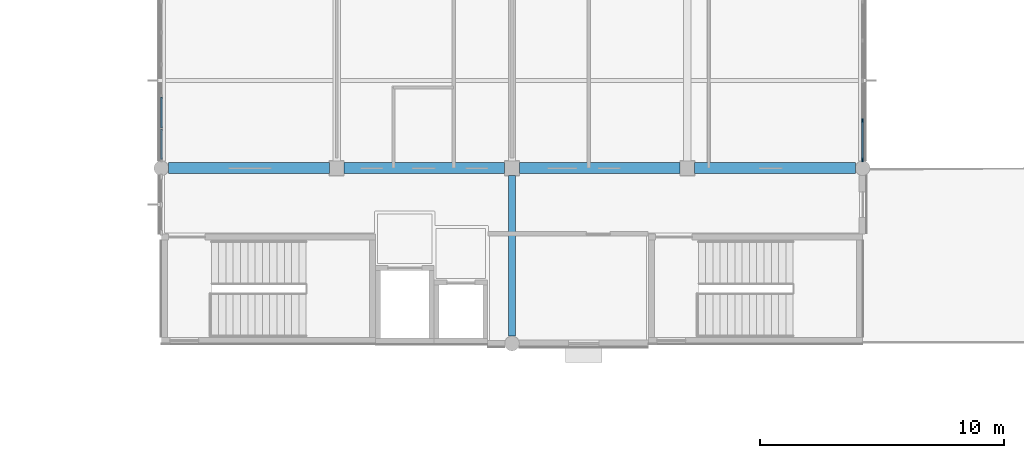
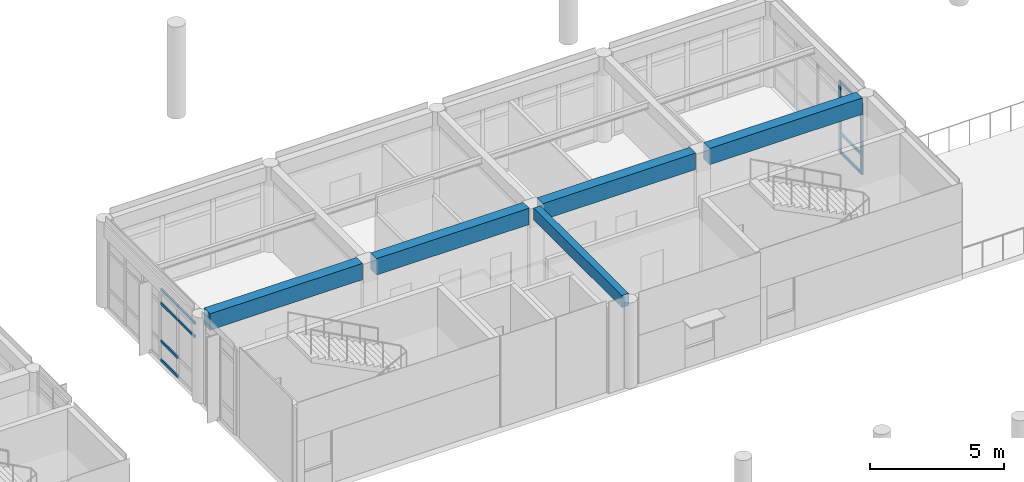
# One storey, part 9 of 41: 12 members, 5 beams, 2 elements without a shape of their own.
"""IFC4 building model written with IfcOpenShell, lengths in metres."""

from ifc_helpers import new_model, si_unit, direction, frame, origin, origin_2d, place, context, subcontext, project, spatial, rectangle, extrude, material, layer, layer_set, material_profile, profile_set, type_object, element, aggregate, save


model = new_model("IFC4")

# Units and contexts
model_context = context("Model", 3, precision=1e-05, world=origin(), true_north=direction((0.0, 1.0)))
body_context = subcontext(model_context, "Body", "Model", "MODEL_VIEW")
ifc_project = project(units=[si_unit("LENGTHUNIT", "METRE"), si_unit("AREAUNIT", "SQUARE_METRE"), si_unit("VOLUMEUNIT", "CUBIC_METRE"), si_unit("PLANEANGLEUNIT", "RADIAN"), si_unit("MASSUNIT", "GRAM", prefix="KILO")], contexts=[model_context])

# Site, building, storey
site_placement = place(None, origin())
site = spatial("IfcSite", under=ifc_project, at=site_placement, CompositionType="ELEMENT")
building_placement = place(site_placement, origin())
building = spatial("IfcBuilding", under=site, at=building_placement, Name="Namkhue Oval Health Centre", CompositionType="ELEMENT")
storey_placement = place(building_placement, frame((0.0, 0.0, 13.800048828125)))
storey = spatial("IfcBuildingStorey", under=building, at=storey_placement, Name="L03", CompositionType="ELEMENT", Elevation=13.800048828125)

# Curtain wall, members
ifc_material_1 = material(Name="Anodised aluminium EN AW-6063 T6", Category="aluminium")
ifc_layer_1 = layer(ifc_material_1, 0.159912109375)
ifc_layer_set_1 = layer_set([ifc_layer_1], Name="Anodised aluminium EN AW-6063 T6")
curtain_wall_type_1 = type_object("IfcCurtainWallType", Name="UNITISED CURTAIN WALL M1500", PredefinedType="NOTDEFINED", material=ifc_layer_set_1)
curtain_wall_1_placement = place(storey_placement, origin())
curtain_wall_1 = element("IfcCurtainWall", 1, at=curtain_wall_1_placement, inside=storey, type_object=curtain_wall_type_1, Name="Volume V3 L03 Unitised Curtain Wall 117", PredefinedType="NOTDEFINED")
ifc_material_profile_1 = material_profile(ifc_material_1, rectangle(XDim=0.06494140625, YDim=0.159912109375, at=origin_2d()), Name="ALU 65x160")
ifc_profile_set_1 = profile_set([ifc_material_profile_1], Name="Anodised aluminium EN AW-6063 T6")
member_type_1 = type_object("IfcMemberType", Name="CURTAIN WALL MULLION 65X160", PredefinedType="MULLION", material=ifc_profile_set_1)
member_1_placement = place(storey_placement, frame((122.39990234375, 97.54248046875, 0.0), z_axis=(0.0, 0.0, 1.0), x_axis=(-1.0, 0.0, 0.0)))
member_1 = element("IfcMember", 2, at=member_1_placement, type_object=member_type_1, Name="CW-03 mullion 1", PredefinedType="MULLION", context=body_context, shape_type="SweptSolid", body=[
    extrude(rectangle(XDim=0.06494140625, YDim=0.159912109375, at=origin_2d()), origin(), (0.0, 0.0, 1.0), 3.27001953125),
])
member_2_placement = place(storey_placement, frame((122.39990234375, 99.155029296875, 0.0), z_axis=(0.0, 0.0, 1.0), x_axis=(-1.0, 0.0, 0.0)))
member_2 = element("IfcMember", 3, at=member_2_placement, type_object=member_type_1, Name="CW-03 mullion 2", PredefinedType="MULLION", context=body_context, shape_type="SweptSolid", body=[
    extrude(rectangle(XDim=0.06494140625, YDim=0.159912109375, at=origin_2d()), origin(), (0.0, 0.0, 1.0), 3.27001953125),
])
ifc_material_profile_2 = material_profile(ifc_material_1, rectangle(XDim=0.06494140625, YDim=0.1201171875, at=origin_2d()), Name="ALU 65x120")
ifc_profile_set_2 = profile_set([ifc_material_profile_2], Name="Anodised aluminium EN AW-6063 T6")
member_type_2 = type_object("IfcMemberType", Name="CURTAIN WALL TRANSOM 65X120", PredefinedType="USERDEFINED", material=ifc_profile_set_2)
member_3_placement = place(storey_placement, frame((122.39990234375, 97.574951171875, 0.032470703125), z_axis=(0.0, 1.0, 0.0), x_axis=(-1.0, 0.0, 0.0)))
member_3 = element("IfcMember", 4, at=member_3_placement, type_object=member_type_2, Name="CW-03 transom 1.1", ObjectType="TRANSOM", PredefinedType="USERDEFINED", context=body_context, shape_type="SweptSolid", body=[
    extrude(rectangle(XDim=0.06494140625, YDim=0.1201171875, at=origin_2d()), origin(), (0.0, 0.0, 1.0), 1.547607421875),
])
member_4_placement = place(storey_placement, frame((122.39990234375, 97.574951171875, 0.89990234375), z_axis=(0.0, 1.0, 0.0), x_axis=(-1.0, 0.0, 0.0)))
member_4 = element("IfcMember", 5, at=member_4_placement, type_object=member_type_2, Name="CW-03 transom 1.2", ObjectType="TRANSOM", PredefinedType="USERDEFINED", context=body_context, shape_type="SweptSolid", body=[
    extrude(rectangle(XDim=0.06494140625, YDim=0.1201171875, at=origin_2d()), origin(), (0.0, 0.0, 1.0), 1.547607421875),
])
member_5_placement = place(storey_placement, frame((122.39990234375, 97.574951171875, 2.619873046875), z_axis=(0.0, 1.0, 0.0), x_axis=(-1.0, 0.0, 0.0)))
member_5 = element("IfcMember", 6, at=member_5_placement, type_object=member_type_2, Name="CW-03 transom 1.3", ObjectType="TRANSOM", PredefinedType="USERDEFINED", context=body_context, shape_type="SweptSolid", body=[
    extrude(rectangle(XDim=0.06494140625, YDim=0.1201171875, at=origin_2d()), origin(), (0.0, 0.0, 1.0), 1.547607421875),
])
member_6_placement = place(storey_placement, frame((122.39990234375, 97.574951171875, 3.237548828125), z_axis=(0.0, 1.0, 0.0), x_axis=(-1.0, 0.0, 0.0)))
member_6 = element("IfcMember", 7, at=member_6_placement, type_object=member_type_2, Name="CW-03 transom 1.4", ObjectType="TRANSOM", PredefinedType="USERDEFINED", context=body_context, shape_type="SweptSolid", body=[
    extrude(rectangle(XDim=0.06494140625, YDim=0.1201171875, at=origin_2d()), origin(), (0.0, 0.0, 1.0), 1.547607421875),
])
aggregate(curtain_wall_1, [member_1, member_2, member_3, member_4, member_5, member_6])

ifc_layer_2 = layer(ifc_material_1, 0.159912109375)
ifc_layer_set_2 = layer_set([ifc_layer_2], Name="Anodised aluminium EN AW-6063 T6")
curtain_wall_type_2 = type_object("IfcCurtainWallType", Name="UNITISED CURTAIN WALL M1200", PredefinedType="NOTDEFINED", material=ifc_layer_set_2)
curtain_wall_2_placement = place(storey_placement, origin())
curtain_wall_2 = element("IfcCurtainWall", 8, at=curtain_wall_2_placement, inside=storey, type_object=curtain_wall_type_2, Name="Volume V3 L03 Unitised Curtain Wall 121", PredefinedType="NOTDEFINED")
member_7_placement = place(storey_placement, frame((93.60009765625, 100.109619140625, 0.032470703125), z_axis=(0.0, -1.0, 0.0), x_axis=(1.0, 0.0, 0.0)))
member_7 = element("IfcMember", 9, at=member_7_placement, type_object=member_type_2, Name="CW-01 transom 4.1", ObjectType="TRANSOM", PredefinedType="USERDEFINED", context=body_context, shape_type="SweptSolid", body=[
    extrude(rectangle(XDim=0.06494140625, YDim=0.1201171875, at=origin_2d()), origin(), (0.0, 0.0, 1.0), 1.251220703125),
])
member_8_placement = place(storey_placement, frame((93.60009765625, 100.109619140625, 0.89990234375), z_axis=(0.0, -1.0, 0.0), x_axis=(1.0, 0.0, 0.0)))
member_8 = element("IfcMember", 10, at=member_8_placement, type_object=member_type_2, Name="CW-01 transom 4.2", ObjectType="TRANSOM", PredefinedType="USERDEFINED", context=body_context, shape_type="SweptSolid", body=[
    extrude(rectangle(XDim=0.06494140625, YDim=0.1201171875, at=origin_2d()), origin(), (0.0, 0.0, 1.0), 1.251220703125),
])
member_9_placement = place(storey_placement, frame((93.60009765625, 100.109619140625, 2.619873046875), z_axis=(0.0, -1.0, 0.0), x_axis=(1.0, 0.0, 0.0)))
member_9 = element("IfcMember", 11, at=member_9_placement, type_object=member_type_2, Name="CW-01 transom 4.3", ObjectType="TRANSOM", PredefinedType="USERDEFINED", context=body_context, shape_type="SweptSolid", body=[
    extrude(rectangle(XDim=0.06494140625, YDim=0.1201171875, at=origin_2d()), origin(), (0.0, 0.0, 1.0), 1.251220703125),
])
member_10_placement = place(storey_placement, frame((93.60009765625, 100.109619140625, 3.237548828125), z_axis=(0.0, -1.0, 0.0), x_axis=(1.0, 0.0, 0.0)))
member_10 = element("IfcMember", 12, at=member_10_placement, type_object=member_type_2, Name="CW-01 transom 4.4", ObjectType="TRANSOM", PredefinedType="USERDEFINED", context=body_context, shape_type="SweptSolid", body=[
    extrude(rectangle(XDim=0.06494140625, YDim=0.1201171875, at=origin_2d()), origin(), (0.0, 0.0, 1.0), 1.251220703125),
])
member_11_placement = place(storey_placement, frame((93.60009765625, 98.79345703125, 2.619873046875), z_axis=(0.0, -1.0, 0.0), x_axis=(1.0, 0.0, 0.0)))
member_11 = element("IfcMember", 13, at=member_11_placement, type_object=member_type_2, Name="CW-01 transom 5.3", ObjectType="TRANSOM", PredefinedType="USERDEFINED", context=body_context, shape_type="SweptSolid", body=[
    extrude(rectangle(XDim=0.06494140625, YDim=0.1201171875, at=origin_2d()), origin(), (0.0, 0.0, 1.0), 1.218505859375),
])
member_12_placement = place(storey_placement, frame((93.60009765625, 98.79345703125, 3.237548828125), z_axis=(0.0, -1.0, 0.0), x_axis=(1.0, 0.0, 0.0)))
member_12 = element("IfcMember", 14, at=member_12_placement, type_object=member_type_2, Name="CW-01 transom 5.4", ObjectType="TRANSOM", PredefinedType="USERDEFINED", context=body_context, shape_type="SweptSolid", body=[
    extrude(rectangle(XDim=0.06494140625, YDim=0.1201171875, at=origin_2d()), origin(), (0.0, 0.0, 1.0), 1.218505859375),
])
aggregate(curtain_wall_2, [member_7, member_8, member_9, member_10, member_11, member_12])

# Beams
ifc_material_2 = material(Name="Reinforced concrete C30/37 (TCVN B35)", Category="concrete")
ifc_material_profile_3 = material_profile(ifc_material_2, rectangle(XDim=0.300048828125, YDim=0.550048828125, at=origin_2d()), Name="RC 300x550")
ifc_profile_set_3 = profile_set([ifc_material_profile_3], Name="Reinforced concrete C30/37 (TCVN B35)")
beam_type_1 = type_object("IfcBeamType", Name="FLOOR BEAM RC 300X550", PredefinedType="BEAM", material=ifc_profile_set_3)
beam_1_placement = place(storey_placement, frame((108.0, 90.300048828125, 3.64501953125), z_axis=(0.0, 1.0, 0.0), x_axis=(-1.0, 0.0, 0.0)))
element("IfcBeam", 15, at=beam_1_placement, inside=storey, type_object=beam_type_1, Name="Volume V3 L04 Beam 16/N-O", PredefinedType="BEAM", context=body_context, shape_type="SweptSolid", body=[
    extrude(rectangle(XDim=0.300048828125, YDim=0.550048828125, at=origin_2d()), origin(), (0.0, 0.0, 1.0), 6.599853515625),
])
ifc_material_3 = material(Name="Reinforced concrete C35/45 (TCVN B40)", Category="concrete")
ifc_material_profile_4 = material_profile(ifc_material_3, rectangle(XDim=0.449951171875, YDim=0.75, at=origin_2d()), Name="RC 450x750")
ifc_profile_set_4 = profile_set([ifc_material_profile_4], Name="Reinforced concrete C35/45 (TCVN B40)")
beam_type_2 = type_object("IfcBeamType", Name="PRIMARY GIRDER RC 450X750", PredefinedType="USERDEFINED", material=ifc_profile_set_4)
beam_2_placement = place(storey_placement, frame((93.89990234375, 97.199951171875, 3.544921875), z_axis=(1.0, 0.0, 0.0), x_axis=(0.0, 1.0, 0.0)))
element("IfcBeam", 16, at=beam_2_placement, inside=storey, type_object=beam_type_2, Name="Volume V3 L04 Girder O/14-15", ObjectType="GIRDER", PredefinedType="USERDEFINED", context=body_context, shape_type="SweptSolid", body=[
    extrude(rectangle(XDim=0.449951171875, YDim=0.75, at=origin_2d()), origin(), (0.0, 0.0, 1.0), 6.60009765625),
])
for number, where, z_axis, x_axis, name in (
    (17, (101.10009765625, 97.199951171875, 3.544921875), (1.0, 0.0, 0.0), (0.0, 1.0, 0.0), "Volume V3 L04 Girder O/15-16"),
    (18, (108.300048828125, 97.199951171875, 3.544921875), (1.0, 0.0, 0.0), (0.0, 1.0, 0.0), "Volume V3 L04 Girder O/16-17"),
):
    element("IfcBeam", number, at=place(storey_placement, frame(where, z_axis=z_axis, x_axis=x_axis)), inside=storey, type_object=beam_type_2, Name=name, ObjectType="GIRDER", PredefinedType="USERDEFINED", context=body_context, shape_type="SweptSolid", body=[
        extrude(rectangle(XDim=0.449951171875, YDim=0.75, at=origin_2d()), origin(), (0.0, 0.0, 1.0), 6.599853515625),
    ])
beam_3_placement = place(storey_placement, frame((115.5, 97.199951171875, 3.544921875), z_axis=(1.0, 0.0, 0.0), x_axis=(0.0, 1.0, 0.0)))
element("IfcBeam", 19, at=beam_3_placement, inside=storey, type_object=beam_type_2, Name="Volume V3 L04 Girder O/17-18", ObjectType="GIRDER", PredefinedType="USERDEFINED", context=body_context, shape_type="SweptSolid", body=[
    extrude(rectangle(XDim=0.449951171875, YDim=0.75, at=origin_2d()), origin(), (0.0, 0.0, 1.0), 6.60009765625),
])

save(model, "model.ifc")
